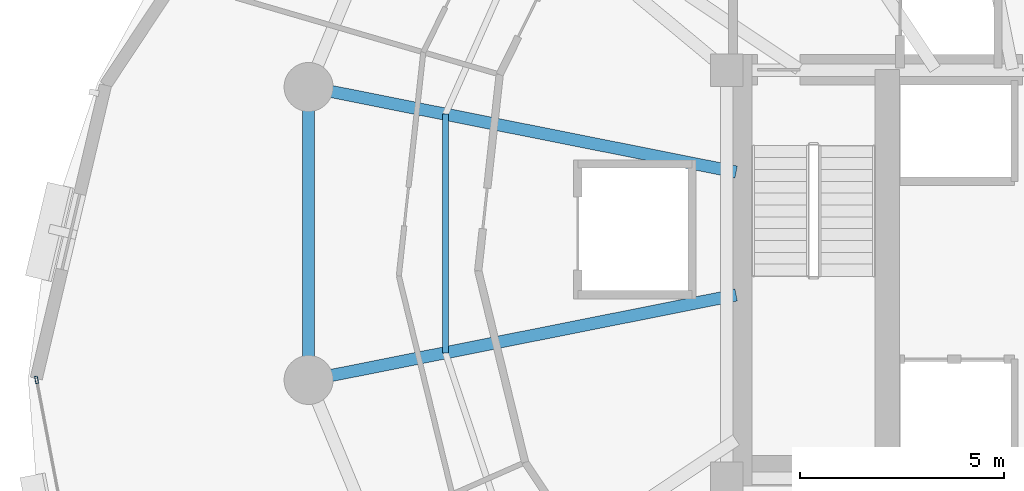
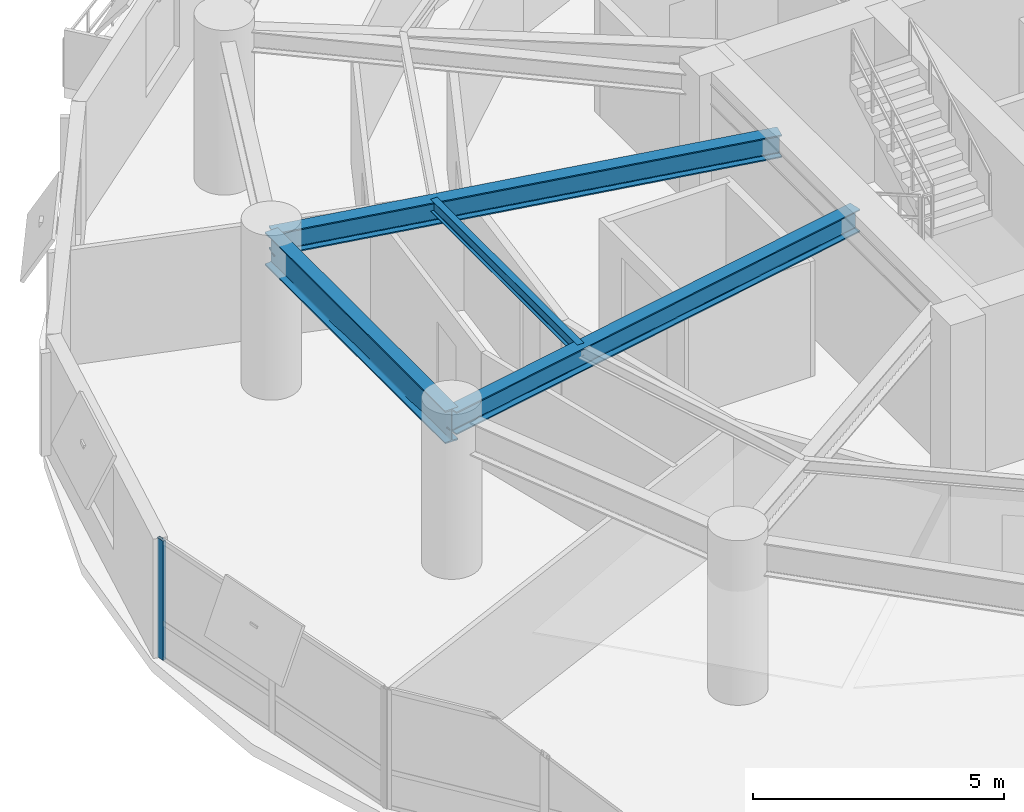
# One storey, part 4 of 14: 4 beams, 1 member, 1 element without a shape of its own.
"""IFC4 building model written with IfcOpenShell, lengths in metres."""

from ifc_helpers import new_model, si_unit, direction, frame, origin, origin_2d, place, context, subcontext, project, spatial, hollow_rectangle, i_section, extrude, material, layer, layer_set, material_profile, profile_set, type_object, element, aggregate, save


model = new_model("IFC4")

# Units and contexts
model_context = context("Model", 3, precision=1e-05, world=origin(), true_north=direction((0.0, 1.0)))
body_context = subcontext(model_context, "Body", "Model", "MODEL_VIEW")
ifc_project = project(units=[si_unit("LENGTHUNIT", "METRE"), si_unit("AREAUNIT", "SQUARE_METRE"), si_unit("VOLUMEUNIT", "CUBIC_METRE"), si_unit("PLANEANGLEUNIT", "RADIAN"), si_unit("MASSUNIT", "GRAM", prefix="KILO"), si_unit("THERMODYNAMICTEMPERATUREUNIT", "KELVIN"), si_unit("POWERUNIT", "WATT")], contexts=[model_context])

# Site, building, storey
site_placement = place(None, origin())
site = spatial("IfcSite", under=ifc_project, at=site_placement, CompositionType="ELEMENT")
building_placement = place(site_placement, origin())
building = spatial("IfcBuilding", under=site, at=building_placement, Name="Ocrelia Relay Tower", CompositionType="ELEMENT")
storey_placement = place(building_placement, frame((0.0, 0.0, 133.800048828125)))
storey = spatial("IfcBuildingStorey", under=building, at=storey_placement, Name="L31", CompositionType="ELEMENT", Elevation=133.800048828125)

# Beams
ifc_material_1 = material(Name="Steel S355", Category="steel")
ifc_material_profile_1 = material_profile(ifc_material_1, i_section(OverallWidth=0.300048828125, OverallDepth=0.550048828125, WebThickness=0.014892578125, FlangeThickness=0.029052734375, FilletRadius=0.027099609375, at=origin_2d()), Name="HEB 550")
ifc_profile_set_1 = profile_set([ifc_material_profile_1], Name="Steel S355")
beam_type_1 = type_object("IfcBeamType", Name="BM-HEB550", PredefinedType="BEAM", material=ifc_profile_set_1)
for number, where, z_axis, x_axis, name in (
    (1, (15.95361328125, 29.589599609375, 3.445068359375), (0.980787592082, -0.195078700063, 0.0), (0.195078700063, 0.980787592082, 0.0), "L31 Radial Floor Girder R08"),
    (2, (15.95361328125, 22.410400390625, 3.445068359375), (0.980787592082, 0.195078700063, 0.0), (-0.195078700063, 0.980787592082, 0.0), "L31 Radial Floor Girder R09"),
):
    element("IfcBeam", number, at=place(storey_placement, frame(where, z_axis=z_axis, x_axis=x_axis)), inside=storey, type_object=beam_type_1, Name=name, PredefinedType="BEAM", context=body_context, shape_type="SweptSolid", body=[
        extrude(i_section(OverallWidth=0.300048828125, OverallDepth=0.550048828125, WebThickness=0.014892578125, FlangeThickness=0.029052734375, FilletRadius=0.027099609375, at=origin_2d()), origin(), (0.0, 0.0, 1.0), 10.681640625),
    ])
ifc_material_profile_2 = material_profile(ifc_material_1, i_section(OverallWidth=0.300048828125, OverallDepth=0.800048828125, WebThickness=0.017578125, FlangeThickness=0.032958984375, FilletRadius=0.030029296875, at=origin_2d()), Name="HEB 800")
ifc_profile_set_2 = profile_set([ifc_material_profile_2], Name="Steel S355")
beam_type_2 = type_object("IfcBeamType", Name="BM-HEB800", PredefinedType="BEAM", material=ifc_profile_set_2)
beam_1_placement = place(storey_placement, frame((15.95361328125, 29.589599609375, 3.320068359375), z_axis=(0.0, -1.0, 0.0), x_axis=(1.0, 0.0, 0.0)))
element("IfcBeam", 3, at=beam_1_placement, inside=storey, type_object=beam_type_2, Name="L31 Perimeter Spandrel Beam S08", PredefinedType="BEAM", context=body_context, shape_type="SweptSolid", body=[
    extrude(i_section(OverallWidth=0.300048828125, OverallDepth=0.800048828125, WebThickness=0.017578125, FlangeThickness=0.032958984375, FilletRadius=0.030029296875, at=origin_2d()), origin(), (0.0, 0.0, 1.0), 7.17919921875),
])
ifc_material_profile_3 = material_profile(ifc_material_1, i_section(OverallWidth=0.14990234375, OverallDepth=0.300048828125, WebThickness=0.007080078125, FlangeThickness=0.0107421875, FilletRadius=0.014892578125, at=origin_2d()), Name="IPE 300")
ifc_profile_set_3 = profile_set([ifc_material_profile_3], Name="Steel S355")
beam_type_3 = type_object("IfcBeamType", Name="BM-IPE300", PredefinedType="JOIST", material=ifc_profile_set_3)
beam_2_placement = place(storey_placement, frame((19.305908203125, 28.9228515625, 3.570068359375), z_axis=(0.0, -1.0, 0.0), x_axis=(1.0, 0.0, 0.0)))
element("IfcBeam", 4, at=beam_2_placement, inside=storey, type_object=beam_type_3, Name="L31 Secondary Floor Joist J08", PredefinedType="JOIST", context=body_context, shape_type="SweptSolid", body=[
    extrude(i_section(OverallWidth=0.14990234375, OverallDepth=0.300048828125, WebThickness=0.007080078125, FlangeThickness=0.0107421875, FilletRadius=0.014892578125, at=origin_2d()), origin(), (0.0, 0.0, 1.0), 5.845703125),
])

# Curtain wall, member
ifc_material_2 = material(Name="Aluminium and solar-control low-E glass", Category="aluminium")
ifc_layer = layer(ifc_material_2, 0.179931640625, Name="Aluminium and solar-control low-E glass")
ifc_layer_set = layer_set([ifc_layer], Name="Aluminium and solar-control low-E glass")
curtain_wall_type = type_object("IfcCurtainWallType", Name="CW-SYS-Z2-SWIT", PredefinedType="NOTDEFINED", material=ifc_layer_set)
curtain_wall_placement = place(storey_placement, origin())
curtain_wall = element("IfcCurtainWall", 5, at=curtain_wall_placement, inside=storey, type_object=curtain_wall_type, Name="L31 Elliptical Tower Curtain Wall Bay 09", PredefinedType="NOTDEFINED")
ifc_material_3 = material(Name="Anodised bronze aluminium", Category="aluminium")
ifc_material_profile_4 = material_profile(ifc_material_3, hollow_rectangle(XDim=0.070068359375, YDim=0.179931640625, WallThickness=0.006103515625, at=origin_2d()), Name="CW-MUL-180x70")
ifc_profile_set_4 = profile_set([ifc_material_profile_4], Name="Anodised bronze aluminium")
member_type = type_object("IfcMemberType", Name="CW-SYS-Z2-SWIT-MUL", PredefinedType="MULLION", material=ifc_profile_set_4)
member_placement = place(storey_placement, frame((9.287841796875, 22.4130859375, 0.0), z_axis=(0.0, 0.0, 1.0), x_axis=(0.982351414993, 0.187044640292, 0.0)))
member = element("IfcMember", 6, at=member_placement, type_object=member_type, Name="CW-Z2 mullion 1", PredefinedType="MULLION", context=body_context, shape_type="SweptSolid", body=[
    extrude(hollow_rectangle(XDim=0.070068359375, YDim=0.179931640625, WallThickness=0.006103515625, at=origin_2d()), origin(), (0.0, 0.0, 1.0), 2.89990234375),
])
aggregate(curtain_wall, [member])

save(model, "model.ifc")
